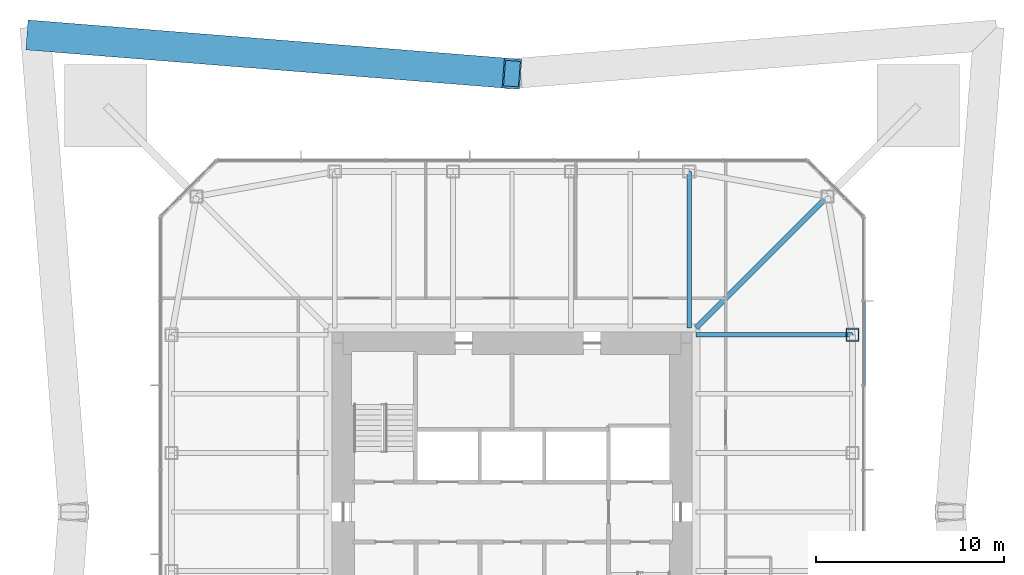
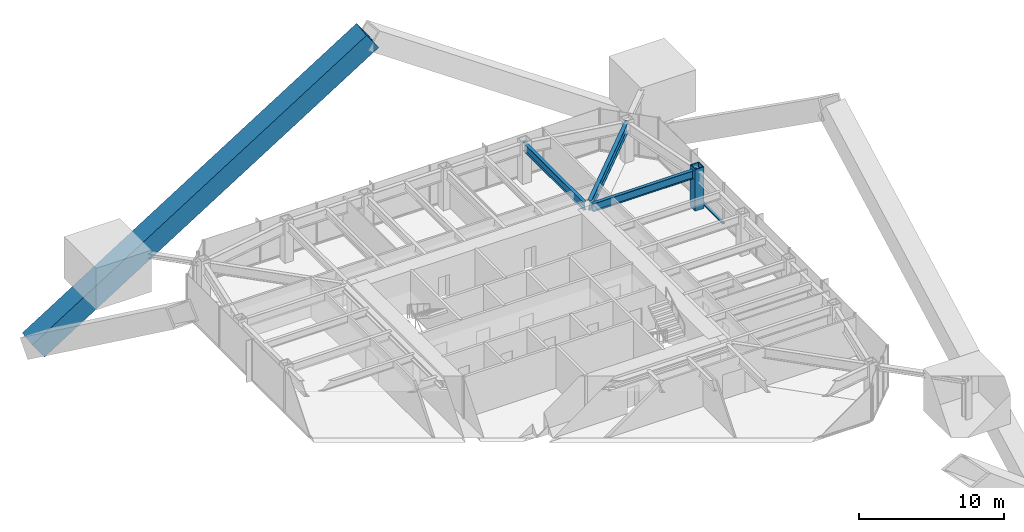
# One storey, part 5 of 11: 3 beams, 3 members, 1 element without a shape of its own.
"""IFC4 building model written with IfcOpenShell, lengths in metres."""

from ifc_helpers import new_model, si_unit, direction, frame, origin, origin_2d, place, context, subcontext, project, spatial, rectangle, hollow_rectangle, i_section, extrude, material, material_profile, profile_set, type_object, element, aggregate, save


model = new_model("IFC4")

# Units and contexts
model_context = context("Model", 3, precision=1e-05, world=origin(), true_north=direction((0.0, 1.0)))
body_context = subcontext(model_context, "Body", "Model", "MODEL_VIEW")
ifc_project = project(units=[si_unit("LENGTHUNIT", "METRE"), si_unit("AREAUNIT", "SQUARE_METRE"), si_unit("VOLUMEUNIT", "CUBIC_METRE"), si_unit("PLANEANGLEUNIT", "RADIAN"), si_unit("MASSUNIT", "GRAM", prefix="KILO")], contexts=[model_context])

# Site, building, storey
site_placement = place(None, origin())
site = spatial("IfcSite", under=ifc_project, at=site_placement, CompositionType="ELEMENT")
building_placement = place(site_placement, origin())
building = spatial("IfcBuilding", under=site, at=building_placement, Name="Iwan Alto Co-Living Towers", CompositionType="ELEMENT")
storey_placement = place(building_placement, frame((0.0, 0.0, 149.5)))
storey = spatial("IfcBuildingStorey", under=building, at=storey_placement, Name="L40", CompositionType="ELEMENT", Elevation=149.5)

# Curtain wall, member
ifc_material_1 = material(Name="Bronze aluminium unitised frame", Category="aluminium")
curtain_wall_type = type_object("IfcCurtainWallType", Name="CURTAIN WALL CW-A", PredefinedType="NOTDEFINED", material=ifc_material_1)
curtain_wall_placement = place(storey_placement, origin())
curtain_wall = element("IfcCurtainWall", 1, at=curtain_wall_placement, inside=storey, type_object=curtain_wall_type, Name="T1 curtain wall E L40", PredefinedType="NOTDEFINED")
ifc_material_2 = material(Name="Aluminium 6063-T6 bronze anodised", Category="aluminium")
ifc_material_profile_1 = material_profile(ifc_material_2, rectangle(XDim=0.199951171875, YDim=0.10009765625, at=origin_2d()), Name="AL 200X100")
ifc_profile_set_1 = profile_set([ifc_material_profile_1], Name="Aluminium 6063-T6 bronze anodised")
member_type_1 = type_object("IfcMemberType", Name="CW-A TRANSOM 200X100", PredefinedType="USERDEFINED", material=ifc_profile_set_1)
member_1_placement = place(storey_placement, frame((18.75, 6.7900390625, 0.050048828125), z_axis=(0.0, 1.0, 0.0), x_axis=(-1.0, 0.0, 0.0)))
member_1 = element("IfcMember", 2, at=member_1_placement, type_object=member_type_1, Name="CW-A transom 6.1", ObjectType="TRANSOM", PredefinedType="USERDEFINED", context=body_context, shape_type="SweptSolid", body=[
    extrude(rectangle(XDim=0.199951171875, YDim=0.10009765625, at=origin_2d()), origin(), (0.0, 0.0, 1.0), 4.419921875),
])
aggregate(curtain_wall, [member_1])

# Beam
ifc_material_3 = material(Name="Steel ASTM A992 Gr 50", Category="steel")
ifc_material_profile_2 = material_profile(ifc_material_3, i_section(OverallWidth=0.2919921875, OverallDepth=0.8408203125, WebThickness=0.0146484375, FlangeThickness=0.021728515625, at=origin_2d()), Name="W33X130")
ifc_profile_set_2 = profile_set([ifc_material_profile_2], Name="Steel ASTM A992 Gr 50")
beam_type_1 = type_object("IfcBeamType", Name="T1 CORNER GIRDER W33X130", PredefinedType="BEAM", material=ifc_profile_set_2)
beam_placement = place(storey_placement, frame((16.82568359375, 16.82568359375, 2.849609375), z_axis=(-0.707106781187, -0.707106781187, 0.0), x_axis=(0.707106781187, -0.707106781187, 0.0)))
element("IfcBeam", 3, at=beam_placement, inside=storey, type_object=beam_type_1, Name="T1 corner girder CNE L41", PredefinedType="BEAM", context=body_context, shape_type="SweptSolid", body=[
    extrude(i_section(OverallWidth=0.2919921875, OverallDepth=0.8408203125, WebThickness=0.0146484375, FlangeThickness=0.021728515625, at=origin_2d()), origin(), (0.0, 0.0, 1.0), 9.909912109375),
])

# Member
ifc_material_4 = material(Name="Steel ASTM A572 Gr 42", Category="steel")
ifc_material_profile_3 = material_profile(ifc_material_4, hollow_rectangle(XDim=1.60009765625, YDim=1.60009765625, WallThickness=0.1201171875, at=origin_2d()), Name="BOX 1600X1600X120")
ifc_profile_set_3 = profile_set([ifc_material_profile_3], Name="Steel ASTM A572 Gr 42")
member_type_2 = type_object("IfcMemberType", Name="T1 MEGA BRACE BOX 1600X1600X120", PredefinedType="BRACE", material=ifc_profile_set_3)
member_2_placement = place(storey_placement, frame((-25.39990234375, 25.39990234375, -6.0), z_axis=(0.808832630948, -0.064465293218, 0.584494654453), x_axis=(0.079449700698, 0.996838876178, 0.0)))
element("IfcMember", 4, at=member_2_placement, inside=storey, type_object=member_type_2, Name="T1 mega brace Z3A N 2 lower", PredefinedType="BRACE", context=body_context, shape_type="SweptSolid", body=[
    extrude(hollow_rectangle(XDim=1.60009765625, YDim=1.60009765625, WallThickness=0.1201171875, at=origin_2d()), origin(), (0.0, 0.0, 1.0), 31.403076171875),
])

# Beams
ifc_material_5 = material(Name="Steel ASTM A992 Gr 50", Category="steel")
ifc_material_profile_4 = material_profile(ifc_material_5, i_section(OverallWidth=0.25390625, OverallDepth=0.683349609375, WebThickness=0.012451171875, FlangeThickness=0.018798828125, at=origin_2d()), Name="W27X94")
ifc_profile_set_4 = profile_set([ifc_material_profile_4], Name="Steel ASTM A992 Gr 50")
beam_type_2 = type_object("IfcBeamType", Name="T1 RADIAL BEAM W27X94", PredefinedType="BEAM", material=ifc_profile_set_4)
for number, where, z_axis, x_axis, name in (
    (5, (18.14990234375, 9.449951171875, 2.928466796875), (-1.0, 0.0, 0.0), (0.0, -1.0, 0.0), "T1 radial beam E4 L41"),
    (6, (9.449951171875, 18.14990234375, 2.928466796875), (0.0, -1.0, 0.0), (1.0, 0.0, 0.0), "T1 radial beam N1 L41"),
):
    element("IfcBeam", number, at=place(storey_placement, frame(where, z_axis=z_axis, x_axis=x_axis)), inside=storey, type_object=beam_type_2, Name=name, PredefinedType="BEAM", context=body_context, shape_type="SweptSolid", body=[
        extrude(i_section(OverallWidth=0.25390625, OverallDepth=0.683349609375, WebThickness=0.012451171875, FlangeThickness=0.018798828125, at=origin_2d()), origin(), (0.0, 0.0, 1.0), 8.33154296875),
    ])

# Member
ifc_material_6 = material(Name="Steel ASTM A572 Gr 50", Category="steel")
ifc_material_profile_5 = material_profile(ifc_material_6, hollow_rectangle(XDim=0.699951171875, YDim=0.699951171875, WallThickness=0.06005859375, at=origin_2d()), Name="BOX 700X700X60")
ifc_profile_set_5 = profile_set([ifc_material_profile_5], Name="Steel ASTM A572 Gr 50")
member_type_3 = type_object("IfcMemberType", Name="T1 RING POST AT STEP BOX 700X700X60", PredefinedType="MEMBER", material=ifc_profile_set_5)
member_3_placement = place(storey_placement, frame((18.14990234375, 9.449951171875, 0.0), z_axis=(0.0, 0.0, 1.0), x_axis=(1.0, 0.0, 0.0)))
element("IfcMember", 7, at=member_3_placement, inside=storey, type_object=member_type_3, Name="T1 ring post at step E4 L40", PredefinedType="MEMBER", context=body_context, shape_type="SweptSolid", body=[
    extrude(hollow_rectangle(XDim=0.699951171875, YDim=0.699951171875, WallThickness=0.06005859375, at=origin_2d()), origin(), (0.0, 0.0, 1.0), 3.5),
])

save(model, "model.ifc")
